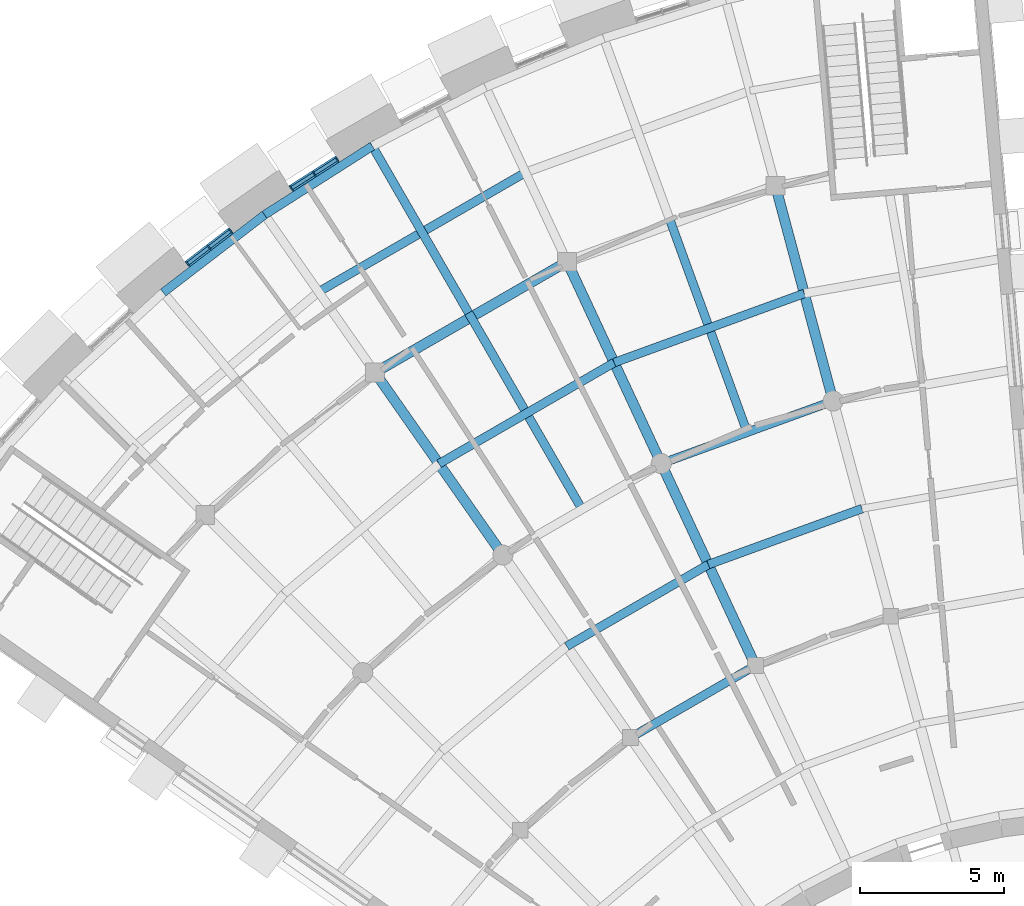
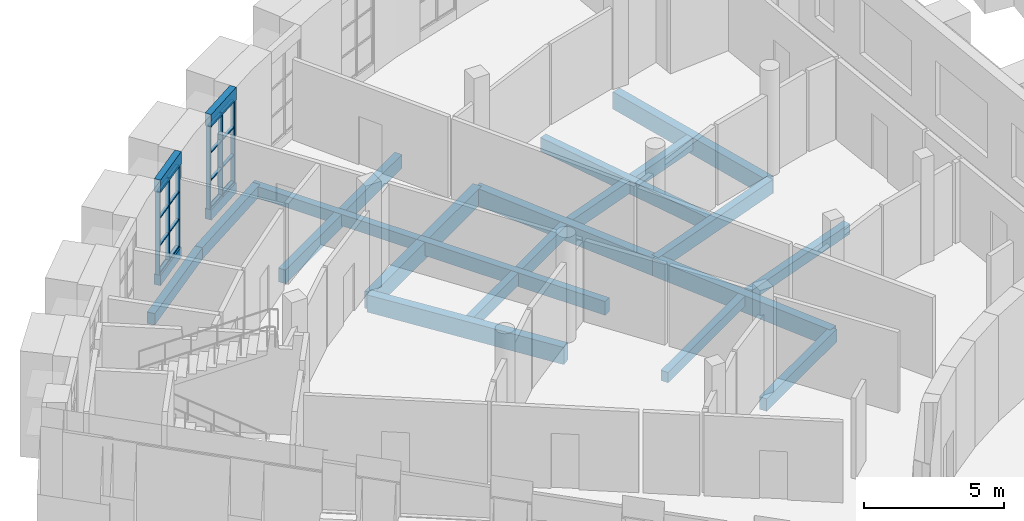
# One storey, part 19 of 66: 22 members, 21 beams, 2 elements without a shape of their own.
"""IFC4 building model written with IfcOpenShell, lengths in metres."""

from ifc_helpers import new_model, si_unit, direction, frame, origin, origin_2d, place, context, subcontext, project, spatial, rectangle, extrude, material, layer, layer_set, material_profile, profile_set, type_object, element, aggregate, save


model = new_model("IFC4")

# Units and contexts
model_context = context("Model", 3, precision=1e-05, world=origin(), true_north=direction((0.0, 1.0)))
body_context = subcontext(model_context, "Body", "Model", "MODEL_VIEW")
ifc_project = project(units=[si_unit("LENGTHUNIT", "METRE"), si_unit("AREAUNIT", "SQUARE_METRE"), si_unit("VOLUMEUNIT", "CUBIC_METRE"), si_unit("PLANEANGLEUNIT", "RADIAN"), si_unit("MASSUNIT", "GRAM", prefix="KILO")], contexts=[model_context])

# Site, building, storey
site_placement = place(None, origin())
site = spatial("IfcSite", under=ifc_project, at=site_placement, CompositionType="ELEMENT")
building_placement = place(site_placement, origin())
building = spatial("IfcBuilding", under=site, at=building_placement, Name="Volute Hill Aquarium", CompositionType="ELEMENT")
storey_placement = place(building_placement, frame((0.0, 0.0, 4.60009765625)))
storey = spatial("IfcBuildingStorey", under=building, at=storey_placement, Name="L02", CompositionType="ELEMENT", Elevation=4.60009765625)

# Beams
ifc_material_1 = material(Name="Concrete C35/45", Category="concrete")
ifc_material_profile_1 = material_profile(ifc_material_1, rectangle(XDim=0.300048828125, YDim=0.550048828125, at=origin_2d()), Name="RC beam 300x550")
ifc_profile_set_1 = profile_set([ifc_material_profile_1], Name="Concrete C35/45")
beam_type_1 = type_object("IfcBeamType", Name="Beam 300x550 C35/45", PredefinedType="BEAM", material=ifc_profile_set_1)
beam_1_placement = place(storey_placement, frame((-12.150390625, 26.056396484375, -0.59521484375), z_axis=(-0.866003851672, -0.500037327496, 0.0), x_axis=(0.500037327496, -0.866003851672, 0.0)))
element("IfcBeam", 1, at=beam_1_placement, inside=storey, type_object=beam_type_1, Name="bm/S6/L02/ring1.19", PredefinedType="BEAM", context=body_context, shape_type="SweptSolid", body=[
    extrude(rectangle(XDim=0.300048828125, YDim=0.550048828125, at=origin_2d()), origin(), (0.0, 0.0, 1.0), 5.01123046875),
])
ifc_material_2 = material(Name="Concrete C35/45", Category="concrete")
ifc_material_profile_2 = material_profile(ifc_material_2, rectangle(XDim=0.300048828125, YDim=0.60009765625, at=origin_2d()), Name="RC beam 300x600")
ifc_profile_set_2 = profile_set([ifc_material_profile_2], Name="Concrete C35/45")
beam_type_2 = type_object("IfcBeamType", Name="Beam 300x600 C35/45", PredefinedType="BEAM", material=ifc_profile_set_2)
beam_2_placement = place(storey_placement, frame((-9.447021484375, 35.25634765625, -0.6201171875), z_axis=(-0.939679092098, -0.342057310804, 0.0), x_axis=(0.342057310804, -0.939679092098, 0.0)))
element("IfcBeam", 2, at=beam_2_placement, inside=storey, type_object=beam_type_2, Name="bm/S6/L02/ring2.23", PredefinedType="BEAM", context=body_context, shape_type="SweptSolid", body=[
    extrude(rectangle(XDim=0.300048828125, YDim=0.60009765625, at=origin_2d()), origin(), (0.0, 0.0, 1.0), 6.3623046875),
])
ifc_material_3 = material(Name="Concrete C35/45", Category="concrete")
ifc_material_profile_3 = material_profile(ifc_material_3, rectangle(XDim=0.35009765625, YDim=0.75, at=origin_2d()), Name="RC beam 350x750")
ifc_profile_set_3 = profile_set([ifc_material_profile_3], Name="Concrete C35/45")
beam_type_3 = type_object("IfcBeamType", Name="Beam 350x750 C35/45", PredefinedType="BEAM", material=ifc_profile_set_3)
for number, where, z_axis, x_axis, name in (
    (3, (-9.447021484375, 35.25634765625, -0.695068359375), (-0.258793822337, 0.965932584356, 0.0), (-0.965932584356, -0.258793822337, 0.0), "bm/S6/L02/rad1.3"),
    (4, (-12.150390625, 26.056396484375, -0.695068359375), (-0.422612956623, 0.906310260835, 0.0), (-0.906310260835, -0.422612956623, 0.0), "bm/S6/L02/rad2.6"),
):
    element("IfcBeam", number, at=place(storey_placement, frame(where, z_axis=z_axis, x_axis=x_axis)), inside=storey, type_object=beam_type_3, Name=name, PredefinedType="BEAM", context=body_context, shape_type="SweptSolid", body=[
        extrude(rectangle(XDim=0.35009765625, YDim=0.75, at=origin_2d()), origin(), (0.0, 0.0, 1.0), 7.749755859375),
    ])
beam_3_placement = place(storey_placement, frame((-15.425537109375, 33.080078125, -0.695068359375), z_axis=(-0.422626766283, 0.906303821255, 0.0), x_axis=(-0.906303821255, -0.422626766283, 0.0)))
element("IfcBeam", 5, at=beam_3_placement, inside=storey, type_object=beam_type_3, Name="bm/S6/L02/rad2.7", PredefinedType="BEAM", context=body_context, shape_type="SweptSolid", body=[
    extrude(rectangle(XDim=0.35009765625, YDim=0.75, at=origin_2d()), origin(), (0.0, 0.0, 1.0), 7.75),
])
beam_4_placement = place(storey_placement, frame((-20.935546875, 29.89892578125, -0.695068359375), z_axis=(-0.573572275972, 0.819154957402, 0.0), x_axis=(-0.819154957402, -0.573572275972, 0.0)))
element("IfcBeam", 6, at=beam_4_placement, inside=storey, type_object=beam_type_3, Name="bm/S6/L02/rad3.11", PredefinedType="BEAM", context=body_context, shape_type="SweptSolid", body=[
    extrude(rectangle(XDim=0.35009765625, YDim=0.75, at=origin_2d()), origin(), (0.0, 0.0, 1.0), 7.750244140625),
])
beam_5_placement = place(storey_placement, frame((-18.700927734375, 40.10400390625, -0.695068359375), z_axis=(-0.866037474467, -0.499979092382, 0.0), x_axis=(0.499979092382, -0.866037474467, 0.0)))
element("IfcBeam", 7, at=beam_5_placement, inside=storey, type_object=beam_type_3, Name="bm/S6/L02/ring3.29", PredefinedType="BEAM", context=body_context, shape_type="SweptSolid", body=[
    extrude(rectangle(XDim=0.35009765625, YDim=0.75, at=origin_2d()), origin(), (0.0, 0.0, 1.0), 7.713134765625),
])

# Curtain wall, members
ifc_material_4 = material(Name="Aluminium", Category="aluminium")
ifc_layer = layer(ifc_material_4, 0.25)
ifc_layer_set = layer_set([ifc_layer], Name="Curtain wall niche S6 module 967")
curtain_wall_type = type_object("IfcCurtainWallType", Name="Curtain wall niche S6 module 967", PredefinedType="NOTDEFINED", material=ifc_layer_set)
curtain_wall_1_placement = place(storey_placement, origin())
curtain_wall_1 = element("IfcCurtainWall", 8, at=curtain_wall_1_placement, inside=storey, type_object=curtain_wall_type, Name="Curtain wall CW S6 L02 6", PredefinedType="NOTDEFINED")
ifc_material_5 = material(Name="Aluminium", Category="aluminium")
ifc_material_profile_4 = material_profile(ifc_material_5, rectangle(XDim=0.169921875, YDim=0.050048828125, at=origin_2d()), Name="Curtain wall mullion S6 50x170")
ifc_profile_set_4 = profile_set([ifc_material_profile_4], Name="Aluminium")
member_type_1 = type_object("IfcMemberType", Name="Curtain wall mullion S6 50x170", PredefinedType="MULLION", material=ifc_profile_set_4)
member_1_placement = place(storey_placement, frame((-26.702392578125, 43.66748046875, 0.449951171875), z_axis=(0.0, 0.0, 1.0), x_axis=(0.537294689973, -0.843394579142, 0.0)))
member_1 = element("IfcMember", 9, at=member_1_placement, type_object=member_type_1, Name="CW mullion 1", PredefinedType="MULLION", context=body_context, shape_type="SweptSolid", body=[
    extrude(rectangle(XDim=0.169921875, YDim=0.050048828125, at=origin_2d()), origin(), (0.0, 0.0, 1.0), 3.599853515625),
])
member_2_placement = place(storey_placement, frame((-27.496826171875, 43.161376953125, 0.449951171875), z_axis=(0.0, 0.0, 1.0), x_axis=(0.537294689973, -0.843394579142, 0.0)))
member_2 = element("IfcMember", 10, at=member_2_placement, type_object=member_type_1, Name="CW mullion 2", PredefinedType="MULLION", context=body_context, shape_type="SweptSolid", body=[
    extrude(rectangle(XDim=0.169921875, YDim=0.050048828125, at=origin_2d()), origin(), (0.0, 0.0, 1.0), 3.599853515625),
])
member_3_placement = place(storey_placement, frame((-28.291259765625, 42.6552734375, 0.449951171875), z_axis=(0.0, 0.0, 1.0), x_axis=(0.537294689973, -0.843394579142, 0.0)))
member_3 = element("IfcMember", 11, at=member_3_placement, type_object=member_type_1, Name="CW mullion 3", PredefinedType="MULLION", context=body_context, shape_type="SweptSolid", body=[
    extrude(rectangle(XDim=0.169921875, YDim=0.050048828125, at=origin_2d()), origin(), (0.0, 0.0, 1.0), 3.599853515625),
])

curtain_wall_2_placement = place(storey_placement, origin())
curtain_wall_2 = element("IfcCurtainWall", 12, at=curtain_wall_2_placement, inside=storey, type_object=curtain_wall_type, Name="Curtain wall CW S6 L02 7", PredefinedType="NOTDEFINED")
member_4_placement = place(storey_placement, frame((-30.40673828125, 41.174072265625, 0.449951171875), z_axis=(0.0, 0.0, 1.0), x_axis=(0.608768681127, -0.793347775493, 0.0)))
member_4 = element("IfcMember", 13, at=member_4_placement, type_object=member_type_1, Name="CW mullion 1", PredefinedType="MULLION", context=body_context, shape_type="SweptSolid", body=[
    extrude(rectangle(XDim=0.169921875, YDim=0.050048828125, at=origin_2d()), origin(), (0.0, 0.0, 1.0), 3.599853515625),
])
member_5_placement = place(storey_placement, frame((-31.154052734375, 40.6005859375, 0.449951171875), z_axis=(0.0, 0.0, 1.0), x_axis=(0.608768681127, -0.793347775493, 0.0)))
member_5 = element("IfcMember", 14, at=member_5_placement, type_object=member_type_1, Name="CW mullion 2", PredefinedType="MULLION", context=body_context, shape_type="SweptSolid", body=[
    extrude(rectangle(XDim=0.169921875, YDim=0.050048828125, at=origin_2d()), origin(), (0.0, 0.0, 1.0), 3.599853515625),
])
member_6_placement = place(storey_placement, frame((-31.9013671875, 40.027099609375, 0.449951171875), z_axis=(0.0, 0.0, 1.0), x_axis=(0.608768681127, -0.793347775493, 0.0)))
member_6 = element("IfcMember", 15, at=member_6_placement, type_object=member_type_1, Name="CW mullion 3", PredefinedType="MULLION", context=body_context, shape_type="SweptSolid", body=[
    extrude(rectangle(XDim=0.169921875, YDim=0.050048828125, at=origin_2d()), origin(), (0.0, 0.0, 1.0), 3.599853515625),
])

# Member
ifc_material_6 = material(Name="Aluminium", Category="aluminium")
ifc_material_profile_5 = material_profile(ifc_material_6, rectangle(XDim=0.1201171875, YDim=0.050048828125, at=origin_2d()), Name="Curtain wall transom S6 50x120")
ifc_profile_set_5 = profile_set([ifc_material_profile_5], Name="Aluminium")
member_type_2 = type_object("IfcMemberType", Name="Curtain wall transom S6 50x120", PredefinedType="USERDEFINED", material=ifc_profile_set_5)
member_7_placement = place(storey_placement, frame((-26.7236328125, 43.654052734375, 0.474853515625), z_axis=(-0.843368307782, -0.537335926055, 0.0), x_axis=(0.537335926055, -0.843368307782, 0.0)))
member_7 = element("IfcMember", 16, at=member_7_placement, type_object=member_type_2, Name="CW transom 1.1", ObjectType="TRANSOM", PredefinedType="USERDEFINED", context=body_context, shape_type="SweptSolid", body=[
    extrude(rectangle(XDim=0.1201171875, YDim=0.050048828125, at=origin_2d()), origin(), (0.0, 0.0, 1.0), 0.891845703125),
])

member_8_placement = place(storey_placement, frame((-26.7236328125, 43.654052734375, 1.64990234375), z_axis=(-0.843368307782, -0.537335926055, 0.0), x_axis=(0.537335926055, -0.843368307782, 0.0)))
member_8 = element("IfcMember", 17, at=member_8_placement, type_object=member_type_2, Name="CW transom 1.2", ObjectType="TRANSOM", PredefinedType="USERDEFINED", context=body_context, shape_type="SweptSolid", body=[
    extrude(rectangle(XDim=0.1201171875, YDim=0.050048828125, at=origin_2d()), origin(), (0.0, 0.0, 1.0), 0.891845703125),
])

member_9_placement = place(storey_placement, frame((-26.7236328125, 43.654052734375, 2.849853515625), z_axis=(-0.843368307782, -0.537335926055, 0.0), x_axis=(0.537335926055, -0.843368307782, 0.0)))
member_9 = element("IfcMember", 18, at=member_9_placement, type_object=member_type_2, Name="CW transom 1.3", ObjectType="TRANSOM", PredefinedType="USERDEFINED", context=body_context, shape_type="SweptSolid", body=[
    extrude(rectangle(XDim=0.1201171875, YDim=0.050048828125, at=origin_2d()), origin(), (0.0, 0.0, 1.0), 0.891845703125),
])

member_10_placement = place(storey_placement, frame((-26.7236328125, 43.654052734375, 4.02490234375), z_axis=(-0.843368307782, -0.537335926055, 0.0), x_axis=(0.537335926055, -0.843368307782, 0.0)))
member_10 = element("IfcMember", 19, at=member_10_placement, type_object=member_type_2, Name="CW transom 1.4", ObjectType="TRANSOM", PredefinedType="USERDEFINED", context=body_context, shape_type="SweptSolid", body=[
    extrude(rectangle(XDim=0.1201171875, YDim=0.050048828125, at=origin_2d()), origin(), (0.0, 0.0, 1.0), 0.891845703125),
])

member_11_placement = place(storey_placement, frame((-27.517822265625, 43.14794921875, 0.474853515625), z_axis=(-0.843368307782, -0.537335926055, 0.0), x_axis=(0.537335926055, -0.843368307782, 0.0)))
member_11 = element("IfcMember", 20, at=member_11_placement, type_object=member_type_2, Name="CW transom 2.1", ObjectType="TRANSOM", PredefinedType="USERDEFINED", context=body_context, shape_type="SweptSolid", body=[
    extrude(rectangle(XDim=0.1201171875, YDim=0.050048828125, at=origin_2d()), origin(), (0.0, 0.0, 1.0), 0.891845703125),
])

member_12_placement = place(storey_placement, frame((-27.517822265625, 43.14794921875, 1.64990234375), z_axis=(-0.843368307782, -0.537335926055, 0.0), x_axis=(0.537335926055, -0.843368307782, 0.0)))
member_12 = element("IfcMember", 21, at=member_12_placement, type_object=member_type_2, Name="CW transom 2.2", ObjectType="TRANSOM", PredefinedType="USERDEFINED", context=body_context, shape_type="SweptSolid", body=[
    extrude(rectangle(XDim=0.1201171875, YDim=0.050048828125, at=origin_2d()), origin(), (0.0, 0.0, 1.0), 0.891845703125),
])

member_13_placement = place(storey_placement, frame((-27.517822265625, 43.14794921875, 2.849853515625), z_axis=(-0.843368307782, -0.537335926055, 0.0), x_axis=(0.537335926055, -0.843368307782, 0.0)))
member_13 = element("IfcMember", 22, at=member_13_placement, type_object=member_type_2, Name="CW transom 2.3", ObjectType="TRANSOM", PredefinedType="USERDEFINED", context=body_context, shape_type="SweptSolid", body=[
    extrude(rectangle(XDim=0.1201171875, YDim=0.050048828125, at=origin_2d()), origin(), (0.0, 0.0, 1.0), 0.891845703125),
])

member_14_placement = place(storey_placement, frame((-27.517822265625, 43.14794921875, 4.02490234375), z_axis=(-0.843368307782, -0.537335926055, 0.0), x_axis=(0.537335926055, -0.843368307782, 0.0)))
member_14 = element("IfcMember", 23, at=member_14_placement, type_object=member_type_2, Name="CW transom 2.4", ObjectType="TRANSOM", PredefinedType="USERDEFINED", context=body_context, shape_type="SweptSolid", body=[
    extrude(rectangle(XDim=0.1201171875, YDim=0.050048828125, at=origin_2d()), origin(), (0.0, 0.0, 1.0), 0.891845703125),
])

aggregate(curtain_wall_1, [member_1, member_2, member_3, member_7, member_8, member_9, member_10, member_11, member_12, member_13, member_14])

member_15_placement = place(storey_placement, frame((-30.426513671875, 41.15869140625, 0.474853515625), z_axis=(-0.793416906556, -0.608678578883, 0.0), x_axis=(0.608678578883, -0.793416906556, 0.0)))
member_15 = element("IfcMember", 24, at=member_15_placement, type_object=member_type_2, Name="CW transom 1.1", ObjectType="TRANSOM", PredefinedType="USERDEFINED", context=body_context, shape_type="SweptSolid", body=[
    extrude(rectangle(XDim=0.1201171875, YDim=0.050048828125, at=origin_2d()), origin(), (0.0, 0.0, 1.0), 0.89208984375),
])

member_16_placement = place(storey_placement, frame((-30.426513671875, 41.15869140625, 1.64990234375), z_axis=(-0.793416906556, -0.608678578883, 0.0), x_axis=(0.608678578883, -0.793416906556, 0.0)))
member_16 = element("IfcMember", 25, at=member_16_placement, type_object=member_type_2, Name="CW transom 1.2", ObjectType="TRANSOM", PredefinedType="USERDEFINED", context=body_context, shape_type="SweptSolid", body=[
    extrude(rectangle(XDim=0.1201171875, YDim=0.050048828125, at=origin_2d()), origin(), (0.0, 0.0, 1.0), 0.89208984375),
])

member_17_placement = place(storey_placement, frame((-30.426513671875, 41.15869140625, 2.849853515625), z_axis=(-0.793416906556, -0.608678578883, 0.0), x_axis=(0.608678578883, -0.793416906556, 0.0)))
member_17 = element("IfcMember", 26, at=member_17_placement, type_object=member_type_2, Name="CW transom 1.3", ObjectType="TRANSOM", PredefinedType="USERDEFINED", context=body_context, shape_type="SweptSolid", body=[
    extrude(rectangle(XDim=0.1201171875, YDim=0.050048828125, at=origin_2d()), origin(), (0.0, 0.0, 1.0), 0.89208984375),
])

member_18_placement = place(storey_placement, frame((-30.426513671875, 41.15869140625, 4.02490234375), z_axis=(-0.793416906556, -0.608678578883, 0.0), x_axis=(0.608678578883, -0.793416906556, 0.0)))
member_18 = element("IfcMember", 27, at=member_18_placement, type_object=member_type_2, Name="CW transom 1.4", ObjectType="TRANSOM", PredefinedType="USERDEFINED", context=body_context, shape_type="SweptSolid", body=[
    extrude(rectangle(XDim=0.1201171875, YDim=0.050048828125, at=origin_2d()), origin(), (0.0, 0.0, 1.0), 0.89208984375),
])

member_19_placement = place(storey_placement, frame((-31.173828125, 40.58544921875, 0.474853515625), z_axis=(-0.793315475548, -0.608810772125, 0.0), x_axis=(0.608810772125, -0.793315475548, 0.0)))
member_19 = element("IfcMember", 28, at=member_19_placement, type_object=member_type_2, Name="CW transom 2.1", ObjectType="TRANSOM", PredefinedType="USERDEFINED", context=body_context, shape_type="SweptSolid", body=[
    extrude(rectangle(XDim=0.1201171875, YDim=0.050048828125, at=origin_2d()), origin(), (0.0, 0.0, 1.0), 0.891845703125),
])

member_20_placement = place(storey_placement, frame((-31.173828125, 40.58544921875, 1.64990234375), z_axis=(-0.793315475548, -0.608810772125, 0.0), x_axis=(0.608810772125, -0.793315475548, 0.0)))
member_20 = element("IfcMember", 29, at=member_20_placement, type_object=member_type_2, Name="CW transom 2.2", ObjectType="TRANSOM", PredefinedType="USERDEFINED", context=body_context, shape_type="SweptSolid", body=[
    extrude(rectangle(XDim=0.1201171875, YDim=0.050048828125, at=origin_2d()), origin(), (0.0, 0.0, 1.0), 0.891845703125),
])

member_21_placement = place(storey_placement, frame((-31.173828125, 40.58544921875, 2.849853515625), z_axis=(-0.793315475548, -0.608810772125, 0.0), x_axis=(0.608810772125, -0.793315475548, 0.0)))
member_21 = element("IfcMember", 30, at=member_21_placement, type_object=member_type_2, Name="CW transom 2.3", ObjectType="TRANSOM", PredefinedType="USERDEFINED", context=body_context, shape_type="SweptSolid", body=[
    extrude(rectangle(XDim=0.1201171875, YDim=0.050048828125, at=origin_2d()), origin(), (0.0, 0.0, 1.0), 0.891845703125),
])

member_22_placement = place(storey_placement, frame((-31.173828125, 40.58544921875, 4.02490234375), z_axis=(-0.793315475548, -0.608810772125, 0.0), x_axis=(0.608810772125, -0.793315475548, 0.0)))
member_22 = element("IfcMember", 31, at=member_22_placement, type_object=member_type_2, Name="CW transom 2.4", ObjectType="TRANSOM", PredefinedType="USERDEFINED", context=body_context, shape_type="SweptSolid", body=[
    extrude(rectangle(XDim=0.1201171875, YDim=0.050048828125, at=origin_2d()), origin(), (0.0, 0.0, 1.0), 0.891845703125),
])

aggregate(curtain_wall_2, [member_4, member_5, member_6, member_15, member_16, member_17, member_18, member_19, member_20, member_21, member_22])

# Beams
ifc_material_7 = material(Name="Concrete C35/45", Category="concrete")
ifc_material_profile_6 = material_profile(ifc_material_7, rectangle(XDim=0.300048828125, YDim=0.5, at=origin_2d()), Name="RC edge beam 300x500")
ifc_profile_set_6 = profile_set([ifc_material_profile_6], Name="Concrete C35/45")
beam_type_4 = type_object("IfcBeamType", Name="Edge beam 300x500 C35/45", PredefinedType="BEAM", material=ifc_profile_set_6)
for number, where, z_axis, x_axis, name in (
    (32, (-25.474853515625, 44.123779296875, -0.570068359375), (-0.843396768651, -0.537291253073, 0.0), (0.537291253073, -0.843396768651, 0.0), "bm/S6/L02/edgeO.47"),
    (33, (-29.2236328125, 41.735595703125, -0.570068359375), (-0.793360529579, -0.608752059632, 0.0), (0.608752059632, -0.793360529579, 0.0), "bm/S6/L02/edgeO.48"),
):
    element("IfcBeam", number, at=place(storey_placement, frame(where, z_axis=z_axis, x_axis=x_axis)), inside=storey, type_object=beam_type_4, Name=name, PredefinedType="BEAM", context=body_context, shape_type="SweptSolid", body=[
        extrude(rectangle(XDim=0.300048828125, YDim=0.5, at=origin_2d()), origin(), (0.0, 0.0, 1.0), 4.44482421875),
    ])
ifc_material_8 = material(Name="Concrete C35/45", Category="concrete")
ifc_material_profile_7 = material_profile(ifc_material_8, rectangle(XDim=0.300048828125, YDim=0.449951171875, at=origin_2d()), Name="RC joist 300x450")
ifc_profile_set_7 = profile_set([ifc_material_profile_7], Name="Concrete C35/45")
beam_type_5 = type_object("IfcBeamType", Name="Joist 300x450 C35/45", PredefinedType="BEAM", material=ifc_profile_set_7)
beam_6_placement = place(storey_placement, frame((-8.444091796875, 31.51318359375, -0.545166015625), z_axis=(-0.939700630185, -0.341998136881, 0.0), x_axis=(0.341998136881, -0.939700630185, 0.0)))
element("IfcBeam", 34, at=beam_6_placement, inside=storey, type_object=beam_type_5, Name="bm/S6/L02/jst7", PredefinedType="BEAM", context=body_context, shape_type="SweptSolid", body=[
    extrude(rectangle(XDim=0.300048828125, YDim=0.449951171875, at=origin_2d()), origin(), (0.0, 0.0, 1.0), 5.686767578125),
])
beam_7_placement = place(storey_placement, frame((-13.787841796875, 29.568359375, -0.545166015625), z_axis=(-0.866023302837, -0.50000363893, 0.0), x_axis=(0.50000363893, -0.866023302837, 0.0)))
element("IfcBeam", 35, at=beam_7_placement, inside=storey, type_object=beam_type_5, Name="bm/S6/L02/jst8", PredefinedType="BEAM", context=body_context, shape_type="SweptSolid", body=[
    extrude(rectangle(XDim=0.300048828125, YDim=0.449951171875, at=origin_2d()), origin(), (0.0, 0.0, 1.0), 5.68701171875),
])
ifc_material_9 = material(Name="Concrete C35/45", Category="concrete")
ifc_material_profile_8 = material_profile(ifc_material_9, rectangle(XDim=0.300048828125, YDim=0.5, at=origin_2d()), Name="RC joist 300x500")
ifc_profile_set_8 = profile_set([ifc_material_profile_8], Name="Concrete C35/45")
beam_type_6 = type_object("IfcBeamType", Name="Joist 300x500 C35/45", PredefinedType="BEAM", material=ifc_profile_set_8)
beam_8_placement = place(storey_placement, frame((-22.125, 38.321533203125, -0.570068359375), z_axis=(-0.499999086063, 0.866025931445, 0.0), x_axis=(-0.866025931445, -0.499999086063, 0.0)))
element("IfcBeam", 36, at=beam_8_placement, inside=storey, type_object=beam_type_6, Name="bm/S6/L02/rjst8", PredefinedType="BEAM", context=body_context, shape_type="SweptSolid", body=[
    extrude(rectangle(XDim=0.300048828125, YDim=0.5, at=origin_2d()), origin(), (0.0, 0.0, 1.0), 6.85009765625),
])
ifc_material_10 = material(Name="Concrete C35/45", Category="concrete")
ifc_material_profile_9 = material_profile(ifc_material_10, rectangle(XDim=0.300048828125, YDim=0.550048828125, at=origin_2d()), Name="RC joist 300x550")
ifc_profile_set_9 = profile_set([ifc_material_profile_9], Name="Concrete C35/45")
beam_type_7 = type_object("IfcBeamType", Name="Joist 300x550 C35/45", PredefinedType="BEAM", material=ifc_profile_set_9)
for number, where, z_axis, x_axis, name in (
    (37, (-10.44970703125, 38.999267578125, -0.59521484375), (-0.939699194872, -0.342002080632, 0.0), (0.342002080632, -0.939699194872, 0.0), "bm/S6/L02/jst12"),
    (38, (-17.063232421875, 36.59228515625, -0.59521484375), (-0.866018636338, -0.500011721377, 0.0), (0.500011721377, -0.866018636338, 0.0), "bm/S6/L02/jst13"),
):
    element("IfcBeam", number, at=place(storey_placement, frame(where, z_axis=z_axis, x_axis=x_axis)), inside=storey, type_object=beam_type_7, Name=name, PredefinedType="BEAM", context=body_context, shape_type="SweptSolid", body=[
        extrude(rectangle(XDim=0.300048828125, YDim=0.550048828125, at=origin_2d()), origin(), (0.0, 0.0, 1.0), 7.037841796875),
    ])
ifc_material_11 = material(Name="Concrete C35/45", Category="concrete")
ifc_material_profile_10 = material_profile(ifc_material_11, rectangle(XDim=0.300048828125, YDim=0.60009765625, at=origin_2d()), Name="RC joist 300x600")
ifc_profile_set_10 = profile_set([ifc_material_profile_10], Name="Concrete C35/45")
beam_type_8 = type_object("IfcBeamType", Name="Joist 300x600 C35/45", PredefinedType="BEAM", material=ifc_profile_set_10)
beam_9_placement = place(storey_placement, frame((-20.148193359375, 43.208251953125, -0.6201171875), z_axis=(-0.866021696715, -0.500006420777, 0.0), x_axis=(0.500006420777, -0.866021696715, 0.0)))
element("IfcBeam", 39, at=beam_9_placement, inside=storey, type_object=beam_type_8, Name="bm/S6/L02/jst18", PredefinedType="BEAM", context=body_context, shape_type="SweptSolid", body=[
    extrude(rectangle(XDim=0.300048828125, YDim=0.60009765625, at=origin_2d()), origin(), (0.0, 0.0, 1.0), 8.310546875),
])
for number, where, z_axis, x_axis, name in (
    (40, (-12.483642578125, 34.298828125, -0.6201171875), (-0.342051628927, 0.939681160367, 0.0), (-0.939681160367, -0.342051628927, 0.0), "bm/S6/L02/rjst2"),
    (41, (-18.25, 31.60986328125, -0.6201171875), (-0.500001506187, 0.866024534185, 0.0), (-0.866024534185, -0.500001506187, 0.0), "bm/S6/L02/rjst3"),
):
    element("IfcBeam", number, at=place(storey_placement, frame(where, z_axis=z_axis, x_axis=x_axis)), inside=storey, type_object=beam_type_8, Name=name, PredefinedType="BEAM", context=body_context, shape_type="SweptSolid", body=[
        extrude(rectangle(XDim=0.300048828125, YDim=0.60009765625, at=origin_2d()), origin(), (0.0, 0.0, 1.0), 7.75),
    ])
ifc_material_12 = material(Name="Concrete C35/45", Category="concrete")
ifc_material_profile_11 = material_profile(ifc_material_12, rectangle(XDim=0.25, YDim=0.550048828125, at=origin_2d()), Name="RC beam 250x550")
ifc_profile_set_11 = profile_set([ifc_material_profile_11], Name="Concrete C35/45")
beam_type_9 = type_object("IfcBeamType", Name="Niche head beam RC 250x550 C35/45", PredefinedType="BEAM", material=ifc_profile_set_11)
for number, where, z_axis, x_axis, name in (
    (42, (-26.681396484375, 43.680908203125, 4.324951171875), (-0.843370239062, -0.537332894828, 0.0), (0.537332894828, -0.843370239062, 0.0), "Niche head beam OWB S6 L02 6"),
    (43, (-30.386962890625, 41.189208984375, 4.324951171875), (-0.793346193695, -0.608770742521, 0.0), (0.608770742521, -0.793346193695, 0.0), "Niche head beam OWB S6 L02 7"),
):
    element("IfcBeam", number, at=place(storey_placement, frame(where, z_axis=z_axis, x_axis=x_axis)), inside=storey, type_object=beam_type_9, Name=name, PredefinedType="BEAM", context=body_context, shape_type="SweptSolid", body=[
        extrude(rectangle(XDim=0.25, YDim=0.550048828125, at=origin_2d()), origin(), (0.0, 0.0, 1.0), 1.933837890625),
    ])
ifc_material_13 = material(Name="Concrete C35/45", Category="concrete")
ifc_material_profile_12 = material_profile(ifc_material_13, rectangle(XDim=0.25, YDim=0.449951171875, at=origin_2d()), Name="RC beam 250x450")
ifc_profile_set_12 = profile_set([ifc_material_profile_12], Name="Concrete C35/45")
beam_type_10 = type_object("IfcBeamType", Name="Niche sill beam RC 250x450 C35/45", PredefinedType="BEAM", material=ifc_profile_set_12)
for number, where, z_axis, x_axis, name in (
    (44, (-26.681396484375, 43.680908203125, 0.224853515625), (-0.843370239062, -0.537332894828, 0.0), (0.537332894828, -0.843370239062, 0.0), "Niche sill beam OWB S6 L02 6"),
    (45, (-30.386962890625, 41.189208984375, 0.224853515625), (-0.793346193695, -0.608770742521, 0.0), (0.608770742521, -0.793346193695, 0.0), "Niche sill beam OWB S6 L02 7"),
):
    element("IfcBeam", number, at=place(storey_placement, frame(where, z_axis=z_axis, x_axis=x_axis)), inside=storey, type_object=beam_type_10, Name=name, PredefinedType="BEAM", context=body_context, shape_type="SweptSolid", body=[
        extrude(rectangle(XDim=0.25, YDim=0.449951171875, at=origin_2d()), origin(), (0.0, 0.0, 1.0), 1.933837890625),
    ])

save(model, "model.ifc")
